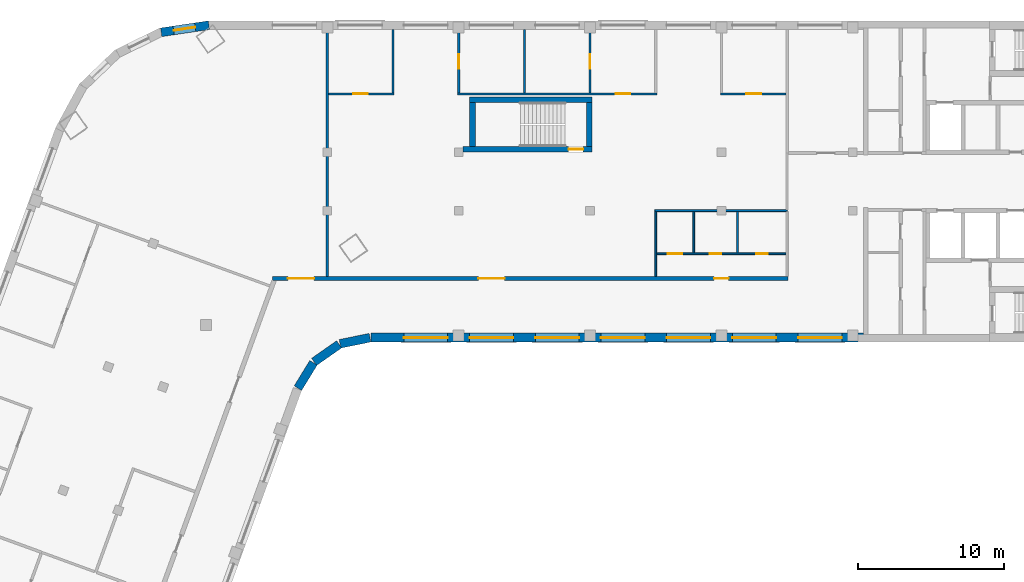
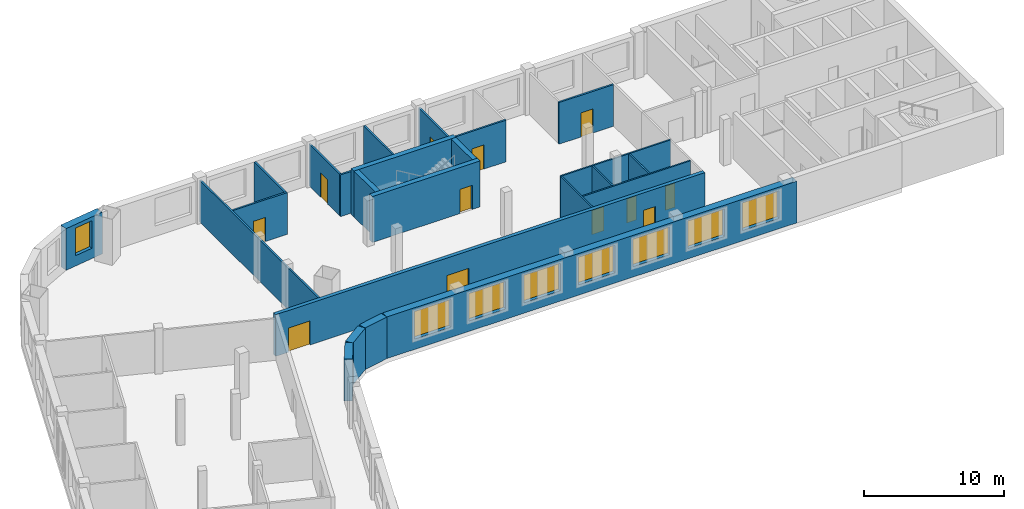
# One storey, part 4 of 8: 23 walls, 12 doors, 8 windows, 20 openings.
"""IFC4 building model written with IfcOpenShell, lengths in metres."""

from ifc_helpers import new_model, si_unit, direction, frame, frame_2d, origin, place, context, subcontext, project, spatial, rectangle, extrude, material, layer, layer_set, type_object, element, fill, save


model = new_model("IFC4")

# Units and contexts
model_context = context("Model", 3, precision=1e-05, world=origin(), true_north=direction((0.0, 1.0)))
body_context = subcontext(model_context, "Body", "Model", "MODEL_VIEW")
ifc_project = project(units=[si_unit("LENGTHUNIT", "METRE"), si_unit("AREAUNIT", "SQUARE_METRE"), si_unit("VOLUMEUNIT", "CUBIC_METRE"), si_unit("PLANEANGLEUNIT", "RADIAN"), si_unit("MASSUNIT", "GRAM", prefix="KILO")], contexts=[model_context])

# Site, building, storey
site_placement = place(None, origin())
site = spatial("IfcSite", under=ifc_project, at=site_placement, CompositionType="ELEMENT")
building_placement = place(site_placement, origin())
building = spatial("IfcBuilding", under=site, at=building_placement, Name="Skarvind Civic Tower", CompositionType="ELEMENT")
storey_placement = place(building_placement, frame((0.0, 0.0, 200.0)))
storey = spatial("IfcBuildingStorey", under=building, at=storey_placement, Name="L47", CompositionType="ELEMENT", Elevation=200.0)

# Wall, openings, doors
ifc_material_1 = material(Name="Fire-rated gypsum board on steel studs", Category="steel")
ifc_layer_1 = layer(ifc_material_1, 0.300048828125)
ifc_layer_set_1 = layer_set([ifc_layer_1], Name="CORRIDOR WALL 300")
wall_type_1 = type_object("IfcWallType", Name="CORRIDOR WALL 300", PredefinedType="PARTITIONING", material=ifc_layer_set_1)
wall_1_placement = place(storey_placement, frame((50.506103515625, 121.35009765625, 0.0), z_axis=(0.0, 0.0, 1.0), x_axis=(1.0, 0.0, 0.0)))
wall_1 = element("IfcWall", 1, at=wall_1_placement, inside=storey, type_object=wall_type_1, Name="Partition 47.016", PredefinedType="PARTITIONING", context=body_context, shape_type="SweptSolid", body=[
    extrude(rectangle(XDim=35.305908203125, YDim=0.300048828125, at=frame_2d((17.65283203125, 0.0))), origin(), (0.0, 0.0, 1.0), 3.625),
])
opening_1_placement = place(wall_1_placement, frame((30.243896484375, 0.0, 0.0)))
opening_1 = element("IfcOpeningElement", 2, at=opening_1_placement, cuts=wall_1, Name="Opening L47-D002", PredefinedType="OPENING", context=body_context, shape_type="SweptSolid", body=[
    extrude(rectangle(XDim=1.0, YDim=2.10009765625, at=frame_2d((0.5, 1.050048828125))), frame((0.0, 0.159912109375, 0.0), z_axis=(0.0, -1.0, 0.0), x_axis=(1.0, 0.0, 0.0)), (0.0, 0.0, 1.0), 0.320068359375),
])
opening_2_placement = place(wall_1_placement, frame((14.093994140625, 0.0, 0.0)))
opening_2 = element("IfcOpeningElement", 3, at=opening_2_placement, cuts=wall_1, Name="Opening L47-D010", PredefinedType="OPENING", context=body_context, shape_type="SweptSolid", body=[
    extrude(rectangle(XDim=1.800048828125, YDim=2.10009765625, at=frame_2d((0.89990234375, 1.050048828125))), frame((0.0, 0.159912109375, 0.0), z_axis=(0.0, -1.0, 0.0), x_axis=(1.0, 0.0, 0.0)), (0.0, 0.0, 1.0), 0.320068359375),
])
opening_3_placement = place(wall_1_placement, frame((1.047119140625, 0.0, 0.0)))
opening_3 = element("IfcOpeningElement", 4, at=opening_3_placement, cuts=wall_1, Name="Opening L47-D018", PredefinedType="OPENING", context=body_context, shape_type="SweptSolid", body=[
    extrude(rectangle(XDim=1.800048828125, YDim=2.10009765625, at=frame_2d((0.89990234375, 1.050048828125))), frame((0.0, 0.159912109375, 0.0), z_axis=(0.0, -1.0, 0.0), x_axis=(1.0, 0.0, 0.0)), (0.0, 0.0, 1.0), 0.320068359375),
])
ifc_material_2 = material(Name="Fire-rated timber door leaf", Category="wood")
door_type_1 = type_object("IfcDoorType", Name="FD1 1000x2100", OperationType="NOTDEFINED", PredefinedType="DOOR", material=ifc_material_2)
door_1_placement = place(opening_1_placement, origin())
door_1 = element("IfcDoor", 5, at=door_1_placement, inside=storey, type_object=door_type_1, Name="Door L47-D002", OperationType="SINGLE_SWING_LEFT", OverallHeight=2.10009765625, OverallWidth=1.0, PredefinedType="DOOR", context=body_context, shape_type="SweptSolid", body=[
    extrude(rectangle(XDim=1.0, YDim=2.10009765625, at=frame_2d((0.5, 1.050048828125))), frame((0.0, 0.02490234375, 0.0), z_axis=(0.0, -1.0, 0.0), x_axis=(1.0, 0.0, 0.0)), (0.0, 0.0, 1.0), 0.050048828125),
])
fill(opening_1, door_1)
door_type_2 = type_object("IfcDoorType", Name="FD4 1800x2100", OperationType="NOTDEFINED", PredefinedType="DOOR", material=ifc_material_2)
door_2_placement = place(opening_2_placement, origin())
door_2 = element("IfcDoor", 6, at=door_2_placement, inside=storey, type_object=door_type_2, Name="Door L47-D010", OperationType="DOUBLE_DOOR_SINGLE_SWING", OverallHeight=2.10009765625, OverallWidth=1.800048828125, PredefinedType="DOOR", context=body_context, shape_type="SweptSolid", body=[
    extrude(rectangle(XDim=1.800048828125, YDim=2.10009765625, at=frame_2d((0.89990234375, 1.050048828125))), frame((0.0, 0.02490234375, 0.0), z_axis=(0.0, -1.0, 0.0), x_axis=(1.0, 0.0, 0.0)), (0.0, 0.0, 1.0), 0.050048828125),
])
fill(opening_2, door_2)
door_3_placement = place(opening_3_placement, origin())
door_3 = element("IfcDoor", 7, at=door_3_placement, inside=storey, type_object=door_type_2, Name="Door L47-D018", OperationType="DOUBLE_DOOR_SINGLE_SWING", OverallHeight=2.10009765625, OverallWidth=1.800048828125, PredefinedType="DOOR", context=body_context, shape_type="SweptSolid", body=[
    extrude(rectangle(XDim=1.800048828125, YDim=2.10009765625, at=frame_2d((0.89990234375, 1.050048828125))), frame((0.0, 0.02490234375, 0.0), z_axis=(0.0, -1.0, 0.0), x_axis=(1.0, 0.0, 0.0)), (0.0, 0.0, 1.0), 0.050048828125),
])
fill(opening_3, door_3)

# Wall, opening, door
ifc_material_3 = material(Name="Concrete C60", Category="concrete")
ifc_layer_2 = layer(ifc_material_3, 0.39990234375)
ifc_layer_set_2 = layer_set([ifc_layer_2], Name="Core wall 400 C60")
wall_type_2 = type_object("IfcWallType", Name="Core wall 400 C60", PredefinedType="SHEAR", material=ifc_layer_set_2)
wall_2_placement = place(storey_placement, frame((63.550048828125, 130.199951171875, 0.0), z_axis=(0.0, 0.0, 1.0), x_axis=(1.0, 0.0, 0.0)))
wall_2 = element("IfcWall", 8, at=wall_2_placement, inside=storey, type_object=wall_type_2, Name="Core wall CM inner L47", PredefinedType="SHEAR", context=body_context, shape_type="SweptSolid", body=[
    extrude(rectangle(XDim=8.849853515625, YDim=0.39990234375, at=frame_2d((4.4248046875, 0.0))), origin(), (0.0, 0.0, 1.0), 4.0),
])
opening_4_placement = place(wall_2_placement, frame((7.22509765625, 0.0, 0.0)))
opening_4 = element("IfcOpeningElement", 9, at=opening_4_placement, cuts=wall_2, Name="Opening D-L47-CM-01", PredefinedType="OPENING", context=body_context, shape_type="SweptSolid", body=[
    extrude(rectangle(XDim=1.0, YDim=2.10009765625, at=frame_2d((0.5, 1.050048828125))), frame((0.0, 0.2099609375, 0.0), z_axis=(0.0, -1.0, 0.0), x_axis=(1.0, 0.0, 0.0)), (0.0, 0.0, 1.0), 0.419921875),
])
ifc_material_4 = material(Name="Fire-rated steel door", Category="steel")
door_type_3 = type_object("IfcDoorType", Name="Fire door 1000", OperationType="NOTDEFINED", PredefinedType="DOOR", material=ifc_material_4)
door_4_placement = place(opening_4_placement, origin())
door_4 = element("IfcDoor", 10, at=door_4_placement, inside=storey, type_object=door_type_3, Name="Fire door", OperationType="SINGLE_SWING_LEFT", OverallHeight=2.10009765625, OverallWidth=1.0, PredefinedType="DOOR", context=body_context, shape_type="SweptSolid", body=[
    extrude(rectangle(XDim=1.0, YDim=2.10009765625, at=frame_2d((0.5, 1.050048828125))), frame((0.0, 0.02490234375, 0.0), z_axis=(0.0, -1.0, 0.0), x_axis=(1.0, 0.0, 0.0)), (0.0, 0.0, 1.0), 0.050048828125),
])
fill(opening_4, door_4)

# Walls
wall_3_placement = place(storey_placement, frame((64.0, 133.60009765625, 0.0), z_axis=(0.0, 0.0, 1.0), x_axis=(1.0, 0.0, 0.0)))
element("IfcWall", 11, at=wall_3_placement, inside=storey, type_object=wall_type_2, Name="Core wall CM outer L47", PredefinedType="SHEAR", context=body_context, shape_type="SweptSolid", body=[
    extrude(rectangle(XDim=8.39990234375, YDim=0.39990234375, at=frame_2d((4.199951171875, 0.0))), origin(), (0.0, 0.0, 1.0), 4.0),
])
for number, where, z_axis, x_axis, name in (
    (12, (64.199951171875, 130.39990234375, 0.0), (0.0, 0.0, 1.0), (0.0, 1.0, 0.0), "Core wall CM west L47"),
    (13, (72.199951171875, 130.39990234375, 0.0), (0.0, 0.0, 1.0), (0.0, 1.0, 0.0), "Core wall CM end L47"),
):
    element("IfcWall", number, at=place(storey_placement, frame(where, z_axis=z_axis, x_axis=x_axis)), inside=storey, type_object=wall_type_2, Name=name, PredefinedType="SHEAR", context=body_context, shape_type="SweptSolid", body=[
        extrude(rectangle(XDim=3.0, YDim=0.39990234375, at=frame_2d((1.5, 0.0))), origin(), (0.0, 0.0, 1.0), 4.0),
    ])
ifc_material_5 = material(Name="Plasterboard partition on steel studs", Category="steel")
ifc_layer_3 = layer(ifc_material_5, 0.14990234375)
ifc_layer_set_3 = layer_set([ifc_layer_3], Name="PARTITION 150")
wall_type_3 = type_object("IfcWallType", Name="PARTITION 150", PredefinedType="PARTITIONING", material=ifc_layer_set_3)
wall_4_placement = place(storey_placement, frame((54.25, 121.5, 0.0), z_axis=(0.0, 0.0, 1.0), x_axis=(0.0, 1.0, 0.0)))
element("IfcWall", 14, at=wall_4_placement, inside=storey, type_object=wall_type_3, Name="Partition 47.017", PredefinedType="PARTITIONING", context=body_context, shape_type="SweptSolid", body=[
    extrude(rectangle(XDim=16.89990234375, YDim=0.14990234375, at=frame_2d((8.449951171875, 0.0))), origin(), (0.0, 0.0, 1.0), 3.625),
])

# Wall, opening, door
wall_5_placement = place(storey_placement, frame((58.824951171875, 134.0, 0.0), z_axis=(0.0, 0.0, 1.0), x_axis=(-1.0, 0.0, 0.0)))
wall_5 = element("IfcWall", 15, at=wall_5_placement, inside=storey, type_object=wall_type_3, Name="Partition 47.018", PredefinedType="PARTITIONING", context=body_context, shape_type="SweptSolid", body=[
    extrude(rectangle(XDim=4.5, YDim=0.14990234375, at=frame_2d((2.25, 0.0))), origin(), (0.0, 0.0, 1.0), 3.625),
])
opening_5_placement = place(wall_5_placement, frame((1.797607421875, 0.0, 0.0)))
opening_5 = element("IfcOpeningElement", 16, at=opening_5_placement, cuts=wall_5, Name="Opening L47-D009", PredefinedType="OPENING", context=body_context, shape_type="SweptSolid", body=[
    extrude(rectangle(XDim=1.0, YDim=2.10009765625, at=frame_2d((0.5, 1.050048828125))), frame((0.0, 0.0849609375, 0.0), z_axis=(0.0, -1.0, 0.0), x_axis=(1.0, 0.0, 0.0)), (0.0, 0.0, 1.0), 0.169921875),
])
ifc_material_6 = material(Name="Timber door leaf", Category="wood")
door_type_4 = type_object("IfcDoorType", Name="D1 1000x2100", OperationType="NOTDEFINED", PredefinedType="DOOR", material=ifc_material_6)
door_5_placement = place(opening_5_placement, origin())
door_5 = element("IfcDoor", 17, at=door_5_placement, inside=storey, type_object=door_type_4, Name="Door L47-D009", OperationType="SINGLE_SWING_LEFT", OverallHeight=2.10009765625, OverallWidth=1.0, PredefinedType="DOOR", context=body_context, shape_type="SweptSolid", body=[
    extrude(rectangle(XDim=1.0, YDim=2.10009765625, at=frame_2d((0.5, 1.050048828125))), frame((0.0, 0.02490234375, 0.0), z_axis=(0.0, -1.0, 0.0), x_axis=(1.0, 0.0, 0.0)), (0.0, 0.0, 1.0), 0.050048828125),
])
fill(opening_5, door_5)

# Wall
wall_6_placement = place(storey_placement, frame((58.75, 138.39990234375, 0.0), z_axis=(0.0, 0.0, 1.0), x_axis=(0.0, -1.0, 0.0)))
element("IfcWall", 18, at=wall_6_placement, inside=storey, type_object=wall_type_3, Name="Partition 47.019", PredefinedType="PARTITIONING", context=body_context, shape_type="SweptSolid", body=[
    extrude(rectangle(XDim=4.324951171875, YDim=0.14990234375, at=frame_2d((2.16259765625, 0.0))), origin(), (0.0, 0.0, 1.0), 3.625),
])

# Wall, opening, door
wall_7_placement = place(storey_placement, frame((63.25, 134.074951171875, 0.0), z_axis=(0.0, 0.0, 1.0), x_axis=(0.0, 1.0, 0.0)))
wall_7 = element("IfcWall", 19, at=wall_7_placement, inside=storey, type_object=wall_type_3, Name="Partition 47.020", PredefinedType="PARTITIONING", context=body_context, shape_type="SweptSolid", body=[
    extrude(rectangle(XDim=4.324951171875, YDim=0.14990234375, at=frame_2d((2.16259765625, 0.0))), origin(), (0.0, 0.0, 1.0), 3.625),
])
opening_6_placement = place(wall_7_placement, frame((1.652587890625, 0.0, 0.0)))
opening_6 = element("IfcOpeningElement", 20, at=opening_6_placement, cuts=wall_7, Name="Opening L47-D008", PredefinedType="OPENING", context=body_context, shape_type="SweptSolid", body=[
    extrude(rectangle(XDim=1.0, YDim=2.10009765625, at=frame_2d((0.5, 1.050048828125))), frame((0.0, 0.0849609375, 0.0), z_axis=(0.0, -1.0, 0.0), x_axis=(1.0, 0.0, 0.0)), (0.0, 0.0, 1.0), 0.169921875),
])
door_6_placement = place(opening_6_placement, origin())
door_6 = element("IfcDoor", 21, at=door_6_placement, inside=storey, type_object=door_type_4, Name="Door L47-D008", OperationType="SINGLE_SWING_LEFT", OverallHeight=2.10009765625, OverallWidth=1.0, PredefinedType="DOOR", context=body_context, shape_type="SweptSolid", body=[
    extrude(rectangle(XDim=1.0, YDim=2.10009765625, at=frame_2d((0.5, 1.050048828125))), frame((0.0, 0.02490234375, 0.0), z_axis=(0.0, -1.0, 0.0), x_axis=(1.0, 0.0, 0.0)), (0.0, 0.0, 1.0), 0.050048828125),
])
fill(opening_6, door_6)

wall_8_placement = place(storey_placement, frame((76.824951171875, 134.0, 0.0), z_axis=(0.0, 0.0, 1.0), x_axis=(-1.0, 0.0, 0.0)))
wall_8 = element("IfcWall", 22, at=wall_8_placement, inside=storey, type_object=wall_type_3, Name="Partition 47.021", PredefinedType="PARTITIONING", context=body_context, shape_type="SweptSolid", body=[
    extrude(rectangle(XDim=13.64990234375, YDim=0.14990234375, at=frame_2d((6.824951171875, 0.0))), origin(), (0.0, 0.0, 1.0), 3.625),
])
opening_7_placement = place(wall_8_placement, frame((1.824951171875, 0.0, 0.0)))
opening_7 = element("IfcOpeningElement", 23, at=opening_7_placement, cuts=wall_8, Name="Opening L47-D007", PredefinedType="OPENING", context=body_context, shape_type="SweptSolid", body=[
    extrude(rectangle(XDim=1.0, YDim=2.10009765625, at=frame_2d((0.5, 1.050048828125))), frame((0.0, 0.0849609375, 0.0), z_axis=(0.0, -1.0, 0.0), x_axis=(1.0, 0.0, 0.0)), (0.0, 0.0, 1.0), 0.169921875),
])
door_7_placement = place(opening_7_placement, origin())
door_7 = element("IfcDoor", 24, at=door_7_placement, inside=storey, type_object=door_type_4, Name="Door L47-D007", OperationType="SINGLE_SWING_LEFT", OverallHeight=2.10009765625, OverallWidth=1.0, PredefinedType="DOOR", context=body_context, shape_type="SweptSolid", body=[
    extrude(rectangle(XDim=1.0, YDim=2.10009765625, at=frame_2d((0.5, 1.050048828125))), frame((0.0, 0.02490234375, 0.0), z_axis=(0.0, -1.0, 0.0), x_axis=(1.0, 0.0, 0.0)), (0.0, 0.0, 1.0), 0.050048828125),
])
fill(opening_7, door_7)

# Wall
wall_9_placement = place(storey_placement, frame((67.75, 134.074951171875, 0.0), z_axis=(0.0, 0.0, 1.0), x_axis=(0.0, 1.0, 0.0)))
element("IfcWall", 25, at=wall_9_placement, inside=storey, type_object=wall_type_3, Name="Partition 47.022", PredefinedType="PARTITIONING", context=body_context, shape_type="SweptSolid", body=[
    extrude(rectangle(XDim=4.324951171875, YDim=0.14990234375, at=frame_2d((2.16259765625, 0.0))), origin(), (0.0, 0.0, 1.0), 3.625),
])

# Wall, opening, door
wall_10_placement = place(storey_placement, frame((72.25, 134.074951171875, 0.0), z_axis=(0.0, 0.0, 1.0), x_axis=(0.0, 1.0, 0.0)))
wall_10 = element("IfcWall", 26, at=wall_10_placement, inside=storey, type_object=wall_type_3, Name="Partition 47.023", PredefinedType="PARTITIONING", context=body_context, shape_type="SweptSolid", body=[
    extrude(rectangle(XDim=4.324951171875, YDim=0.14990234375, at=frame_2d((2.16259765625, 0.0))), origin(), (0.0, 0.0, 1.0), 3.625),
])
opening_8_placement = place(wall_10_placement, frame((1.652587890625, 0.0, 0.0)))
opening_8 = element("IfcOpeningElement", 27, at=opening_8_placement, cuts=wall_10, Name="Opening L47-D019", PredefinedType="OPENING", context=body_context, shape_type="SweptSolid", body=[
    extrude(rectangle(XDim=1.0, YDim=2.10009765625, at=frame_2d((0.5, 1.050048828125))), frame((0.0, 0.0849609375, 0.0), z_axis=(0.0, -1.0, 0.0), x_axis=(1.0, 0.0, 0.0)), (0.0, 0.0, 1.0), 0.169921875),
])
door_8_placement = place(opening_8_placement, origin())
door_8 = element("IfcDoor", 28, at=door_8_placement, inside=storey, type_object=door_type_4, Name="Door L47-D019", OperationType="SINGLE_SWING_LEFT", OverallHeight=2.10009765625, OverallWidth=1.0, PredefinedType="DOOR", context=body_context, shape_type="SweptSolid", body=[
    extrude(rectangle(XDim=1.0, YDim=2.10009765625, at=frame_2d((0.5, 1.050048828125))), frame((0.0, 0.02490234375, 0.0), z_axis=(0.0, -1.0, 0.0), x_axis=(1.0, 0.0, 0.0)), (0.0, 0.0, 1.0), 0.050048828125),
])
fill(opening_8, door_8)

wall_11_placement = place(storey_placement, frame((85.662109375, 134.0, 0.0), z_axis=(0.0, 0.0, 1.0), x_axis=(-1.0, 0.0, 0.0)))
wall_11 = element("IfcWall", 29, at=wall_11_placement, inside=storey, type_object=wall_type_3, Name="Partition 47.034", PredefinedType="PARTITIONING", context=body_context, shape_type="SweptSolid", body=[
    extrude(rectangle(XDim=4.487060546875, YDim=0.14990234375, at=frame_2d((2.24365234375, 0.0))), origin(), (0.0, 0.0, 1.0), 3.625),
])
opening_9_placement = place(wall_11_placement, frame((1.696044921875, 0.0, 0.0)))
opening_9 = element("IfcOpeningElement", 30, at=opening_9_placement, cuts=wall_11, Name="Opening L47-D006", PredefinedType="OPENING", context=body_context, shape_type="SweptSolid", body=[
    extrude(rectangle(XDim=1.0, YDim=2.10009765625, at=frame_2d((0.5, 1.050048828125))), frame((0.0, 0.0849609375, 0.0), z_axis=(0.0, -1.0, 0.0), x_axis=(1.0, 0.0, 0.0)), (0.0, 0.0, 1.0), 0.169921875),
])
door_9_placement = place(opening_9_placement, origin())
door_9 = element("IfcDoor", 31, at=door_9_placement, inside=storey, type_object=door_type_4, Name="Door L47-D006", OperationType="SINGLE_SWING_LEFT", OverallHeight=2.10009765625, OverallWidth=1.0, PredefinedType="DOOR", context=body_context, shape_type="SweptSolid", body=[
    extrude(rectangle(XDim=1.0, YDim=2.10009765625, at=frame_2d((0.5, 1.050048828125))), frame((0.0, 0.02490234375, 0.0), z_axis=(0.0, -1.0, 0.0), x_axis=(1.0, 0.0, 0.0)), (0.0, 0.0, 1.0), 0.050048828125),
])
fill(opening_9, door_9)

# Wall
ifc_material_7 = material(Name="Moisture-resistant gypsum board on steel studs", Category="steel")
ifc_layer_4 = layer(ifc_material_7, 0.125)
ifc_layer_set_4 = layer_set([ifc_layer_4], Name="WC PARTITION 125")
wall_type_4 = type_object("IfcWallType", Name="WC PARTITION 125", PredefinedType="PARTITIONING", material=ifc_layer_set_4)
wall_12_placement = place(storey_placement, frame((76.75, 121.5, 0.0), z_axis=(0.0, 0.0, 1.0), x_axis=(0.0, 1.0, 0.0)))
element("IfcWall", 32, at=wall_12_placement, inside=storey, type_object=wall_type_4, Name="Partition 47.024", PredefinedType="PARTITIONING", context=body_context, shape_type="SweptSolid", body=[
    extrude(rectangle(XDim=4.43798828125, YDim=0.125, at=frame_2d((2.218994140625, 0.0))), origin(), (0.0, 0.0, 1.0), 3.625),
])

# Wall, openings, doors
wall_13_placement = place(storey_placement, frame((76.81201171875, 123.050048828125, 0.0), z_axis=(0.0, 0.0, 1.0), x_axis=(1.0, 0.0, 0.0)))
wall_13 = element("IfcWall", 33, at=wall_13_placement, inside=storey, type_object=wall_type_4, Name="Partition 47.025", PredefinedType="PARTITIONING", context=body_context, shape_type="SweptSolid", body=[
    extrude(rectangle(XDim=8.8759765625, YDim=0.125, at=frame_2d((4.43798828125, 0.0))), origin(), (0.0, 0.0, 1.0), 3.625),
])
opening_10_placement = place(wall_13_placement, frame((6.81689453125, 0.0, 0.0)))
opening_10 = element("IfcOpeningElement", 34, at=opening_10_placement, cuts=wall_13, Name="Opening L47-D003", PredefinedType="OPENING", context=body_context, shape_type="SweptSolid", body=[
    extrude(rectangle(XDim=0.800048828125, YDim=2.10009765625, at=frame_2d((0.39990234375, 1.050048828125))), frame((0.0, 0.072509765625, 0.0), z_axis=(0.0, -1.0, 0.0), x_axis=(1.0, 0.0, 0.0)), (0.0, 0.0, 1.0), 0.14501953125),
])
opening_11_placement = place(wall_13_placement, frame((3.637939453125, 0.0, 0.0)))
opening_11 = element("IfcOpeningElement", 35, at=opening_11_placement, cuts=wall_13, Name="Opening L47-D004", PredefinedType="OPENING", context=body_context, shape_type="SweptSolid", body=[
    extrude(rectangle(XDim=0.800048828125, YDim=2.10009765625, at=frame_2d((0.39990234375, 1.050048828125))), frame((0.0, 0.072509765625, 0.0), z_axis=(0.0, -1.0, 0.0), x_axis=(1.0, 0.0, 0.0)), (0.0, 0.0, 1.0), 0.14501953125),
])
opening_12_placement = place(wall_13_placement, frame((0.759033203125, 0.0, 0.0)))
opening_12 = element("IfcOpeningElement", 36, at=opening_12_placement, cuts=wall_13, Name="Opening L47-D005", PredefinedType="OPENING", context=body_context, shape_type="SweptSolid", body=[
    extrude(rectangle(XDim=1.0, YDim=2.10009765625, at=frame_2d((0.5, 1.050048828125))), frame((0.0, 0.072509765625, 0.0), z_axis=(0.0, -1.0, 0.0), x_axis=(1.0, 0.0, 0.0)), (0.0, 0.0, 1.0), 0.14501953125),
])
door_10_placement = place(opening_12_placement, origin())
door_10 = element("IfcDoor", 37, at=door_10_placement, inside=storey, type_object=door_type_4, Name="Door L47-D005", OperationType="SINGLE_SWING_LEFT", OverallHeight=2.10009765625, OverallWidth=1.0, PredefinedType="DOOR", context=body_context, shape_type="SweptSolid", body=[
    extrude(rectangle(XDim=1.0, YDim=2.10009765625, at=frame_2d((0.5, 1.050048828125))), frame((0.0, 0.02490234375, 0.0), z_axis=(0.0, -1.0, 0.0), x_axis=(1.0, 0.0, 0.0)), (0.0, 0.0, 1.0), 0.050048828125),
])
fill(opening_12, door_10)
door_type_5 = type_object("IfcDoorType", Name="DOOR 800X2100 TIMBER", OperationType="NOTDEFINED", PredefinedType="DOOR", material=ifc_material_6)
door_11_placement = place(opening_10_placement, origin())
door_11 = element("IfcDoor", 38, at=door_11_placement, inside=storey, type_object=door_type_5, Name="Door L47-D003", OperationType="SINGLE_SWING_RIGHT", OverallHeight=2.10009765625, OverallWidth=0.800048828125, PredefinedType="DOOR", context=body_context, shape_type="SweptSolid", body=[
    extrude(rectangle(XDim=0.800048828125, YDim=2.10009765625, at=frame_2d((0.39990234375, 1.050048828125))), frame((0.0, 0.02490234375, 0.0), z_axis=(0.0, -1.0, 0.0), x_axis=(1.0, 0.0, 0.0)), (0.0, 0.0, 1.0), 0.050048828125),
])
fill(opening_10, door_11)
door_12_placement = place(opening_11_placement, origin())
door_12 = element("IfcDoor", 39, at=door_12_placement, inside=storey, type_object=door_type_5, Name="Door L47-D004", OperationType="SINGLE_SWING_LEFT", OverallHeight=2.10009765625, OverallWidth=0.800048828125, PredefinedType="DOOR", context=body_context, shape_type="SweptSolid", body=[
    extrude(rectangle(XDim=0.800048828125, YDim=2.10009765625, at=frame_2d((0.39990234375, 1.050048828125))), frame((0.0, 0.02490234375, 0.0), z_axis=(0.0, -1.0, 0.0), x_axis=(1.0, 0.0, 0.0)), (0.0, 0.0, 1.0), 0.050048828125),
])
fill(opening_11, door_12)

# Walls
wall_14_placement = place(storey_placement, frame((76.68798828125, 126.0, 0.0), z_axis=(0.0, 0.0, 1.0), x_axis=(1.0, 0.0, 0.0)))
element("IfcWall", 40, at=wall_14_placement, inside=storey, type_object=wall_type_4, Name="Partition 47.026", PredefinedType="PARTITIONING", context=body_context, shape_type="SweptSolid", body=[
    extrude(rectangle(XDim=9.06201171875, YDim=0.125, at=frame_2d((4.531005859375, 0.0))), origin(), (0.0, 0.0, 1.0), 3.625),
])
for number, where, z_axis, x_axis, name in (
    (41, (79.35009765625, 125.93798828125, 0.0), (0.0, 0.0, 1.0), (0.0, -1.0, 0.0), "Partition 47.028"),
    (42, (82.35009765625, 125.93798828125, 0.0), (0.0, 0.0, 1.0), (0.0, -1.0, 0.0), "Partition 47.030"),
):
    element("IfcWall", number, at=place(storey_placement, frame(where, z_axis=z_axis, x_axis=x_axis)), inside=storey, type_object=wall_type_4, Name=name, PredefinedType="PARTITIONING", context=body_context, shape_type="SweptSolid", body=[
        extrude(rectangle(XDim=2.825927734375, YDim=0.125, at=frame_2d((1.4130859375, 0.0))), origin(), (0.0, 0.0, 1.0), 3.625),
    ])
ifc_material_8 = material(Name="Limestone masonry cladding on insulated backing", Category="masonry")
ifc_layer_5 = layer(ifc_material_8, 0.60009765625)
ifc_layer_set_5 = layer_set([ifc_layer_5], Name="WX1 STONE FACADE WALL 600")
wall_type_5 = type_object("IfcWallType", Name="WX1 STONE FACADE WALL 600", PredefinedType="SOLIDWALL", material=ifc_layer_set_5)
wall_15_placement = place(storey_placement, frame((53.30517578125, 115.578369140625, 0.0), z_axis=(0.0, 0.0, 1.0), x_axis=(-0.522402266438, -0.852699168535, 0.0)))
element("IfcWall", 43, at=wall_15_placement, inside=storey, type_object=wall_type_5, Name="STONE FACADE WALL", PredefinedType="SOLIDWALL", context=body_context, shape_type="SweptSolid", body=[
    extrude(rectangle(XDim=2.042236328125, YDim=0.60009765625, at=frame_2d((1.02099609375, 0.0))), origin(), (0.0, 0.0, 1.0), 3.625),
])
for number, where, z_axis, x_axis, name in (
    (44, (55.061767578125, 116.8388671875, 0.0), (0.0, 0.0, 1.0), (-0.819122269495, -0.573618956815, 0.0), "STONE FACADE WALL"),
    (45, (57.17529296875, 117.2939453125, 0.0), (0.0, 0.0, 1.0), (-0.97996099083, -0.19918949885, 0.0), "STONE FACADE WALL"),
):
    element("IfcWall", number, at=place(storey_placement, frame(where, z_axis=z_axis, x_axis=x_axis)), inside=storey, type_object=wall_type_5, Name=name, PredefinedType="SOLIDWALL", context=body_context, shape_type="SweptSolid", body=[
        extrude(rectangle(XDim=2.09228515625, YDim=0.60009765625, at=frame_2d((1.046142578125, 0.0))), origin(), (0.0, 0.0, 1.0), 3.625),
    ])

# Wall, openings, windows
wall_16_placement = place(storey_placement, frame((90.97998046875, 117.300048828125, 0.0), z_axis=(0.0, 0.0, 1.0), x_axis=(-1.0, 0.0, 0.0)))
wall_16 = element("IfcWall", 46, at=wall_16_placement, inside=storey, type_object=wall_type_5, Name="STONE FACADE WALL", PredefinedType="SOLIDWALL", context=body_context, shape_type="SweptSolid", body=[
    extrude(rectangle(XDim=33.744873046875, YDim=0.60009765625, at=frame_2d((16.87255859375, 0.0))), origin(), (0.0, 0.0, 1.0), 3.625),
])
opening_13_placement = place(wall_16_placement, frame((1.47998046875, 0.0, 0.89990234375)))
opening_13 = element("IfcOpeningElement", 47, at=opening_13_placement, cuts=wall_16, Name="Opening WN1", PredefinedType="OPENING", context=body_context, shape_type="SweptSolid", body=[
    extrude(rectangle(XDim=3.0, YDim=2.39990234375, at=frame_2d((1.5, 1.199951171875))), frame((0.0, 0.31005859375, 0.0), z_axis=(0.0, -1.0, 0.0), x_axis=(1.0, 0.0, 0.0)), (0.0, 0.0, 1.0), 0.6201171875),
])
opening_14_placement = place(wall_16_placement, frame((5.97998046875, 0.0, 0.89990234375)))
opening_14 = element("IfcOpeningElement", 48, at=opening_14_placement, cuts=wall_16, Name="Opening WN1", PredefinedType="OPENING", context=body_context, shape_type="SweptSolid", body=[
    extrude(rectangle(XDim=3.0, YDim=2.39990234375, at=frame_2d((1.5, 1.199951171875))), frame((0.0, 0.31005859375, 0.0), z_axis=(0.0, -1.0, 0.0), x_axis=(1.0, 0.0, 0.0)), (0.0, 0.0, 1.0), 0.6201171875),
])
opening_15_placement = place(wall_16_placement, frame((10.47998046875, 0.0, 0.89990234375)))
opening_15 = element("IfcOpeningElement", 49, at=opening_15_placement, cuts=wall_16, Name="Opening WN1", PredefinedType="OPENING", context=body_context, shape_type="SweptSolid", body=[
    extrude(rectangle(XDim=3.0, YDim=2.39990234375, at=frame_2d((1.5, 1.199951171875))), frame((0.0, 0.31005859375, 0.0), z_axis=(0.0, -1.0, 0.0), x_axis=(1.0, 0.0, 0.0)), (0.0, 0.0, 1.0), 0.6201171875),
])
opening_16_placement = place(wall_16_placement, frame((14.97998046875, 0.0, 0.89990234375)))
opening_16 = element("IfcOpeningElement", 50, at=opening_16_placement, cuts=wall_16, Name="Opening WN1", PredefinedType="OPENING", context=body_context, shape_type="SweptSolid", body=[
    extrude(rectangle(XDim=3.0, YDim=2.39990234375, at=frame_2d((1.5, 1.199951171875))), frame((0.0, 0.31005859375, 0.0), z_axis=(0.0, -1.0, 0.0), x_axis=(1.0, 0.0, 0.0)), (0.0, 0.0, 1.0), 0.6201171875),
])
opening_17_placement = place(wall_16_placement, frame((19.47998046875, 0.0, 0.89990234375)))
opening_17 = element("IfcOpeningElement", 51, at=opening_17_placement, cuts=wall_16, Name="Opening WN1", PredefinedType="OPENING", context=body_context, shape_type="SweptSolid", body=[
    extrude(rectangle(XDim=3.0, YDim=2.39990234375, at=frame_2d((1.5, 1.199951171875))), frame((0.0, 0.31005859375, 0.0), z_axis=(0.0, -1.0, 0.0), x_axis=(1.0, 0.0, 0.0)), (0.0, 0.0, 1.0), 0.6201171875),
])
opening_18_placement = place(wall_16_placement, frame((23.97998046875, 0.0, 0.89990234375)))
opening_18 = element("IfcOpeningElement", 52, at=opening_18_placement, cuts=wall_16, Name="Opening WN1", PredefinedType="OPENING", context=body_context, shape_type="SweptSolid", body=[
    extrude(rectangle(XDim=3.0, YDim=2.39990234375, at=frame_2d((1.5, 1.199951171875))), frame((0.0, 0.31005859375, 0.0), z_axis=(0.0, -1.0, 0.0), x_axis=(1.0, 0.0, 0.0)), (0.0, 0.0, 1.0), 0.6201171875),
])
opening_19_placement = place(wall_16_placement, frame((28.47998046875, 0.0, 0.89990234375)))
opening_19 = element("IfcOpeningElement", 53, at=opening_19_placement, cuts=wall_16, Name="Opening WN1", PredefinedType="OPENING", context=body_context, shape_type="SweptSolid", body=[
    extrude(rectangle(XDim=3.0, YDim=2.39990234375, at=frame_2d((1.5, 1.199951171875))), frame((0.0, 0.31005859375, 0.0), z_axis=(0.0, -1.0, 0.0), x_axis=(1.0, 0.0, 0.0)), (0.0, 0.0, 1.0), 0.6201171875),
])
ifc_material_9 = material(Name="Timber frame, double glazing, timber-lined reveal", Category="wood")
window_type_1 = type_object("IfcWindowType", Name="WN1 PUNCHED STONE WINDOW 3000 x 2400", PartitioningType="SINGLE_PANEL", PredefinedType="WINDOW", material=ifc_material_9)
window_1_placement = place(opening_13_placement, origin())
window_1 = element("IfcWindow", 54, at=window_1_placement, inside=storey, type_object=window_type_1, Name="WN1 WINDOW", OverallHeight=2.39990234375, OverallWidth=3.0, PartitioningType="SINGLE_PANEL", PredefinedType="WINDOW", context=body_context, shape_type="SweptSolid", body=[
    extrude(rectangle(XDim=3.0, YDim=2.39990234375, at=frame_2d((1.5, 1.199951171875))), frame((0.0, 0.030029296875, 0.0), z_axis=(0.0, -1.0, 0.0), x_axis=(1.0, 0.0, 0.0)), (0.0, 0.0, 1.0), 0.06005859375),
])
fill(opening_13, window_1)
window_2_placement = place(opening_14_placement, origin())
window_2 = element("IfcWindow", 55, at=window_2_placement, inside=storey, type_object=window_type_1, Name="WN1 WINDOW", OverallHeight=2.39990234375, OverallWidth=3.0, PartitioningType="SINGLE_PANEL", PredefinedType="WINDOW", context=body_context, shape_type="SweptSolid", body=[
    extrude(rectangle(XDim=3.0, YDim=2.39990234375, at=frame_2d((1.5, 1.199951171875))), frame((0.0, 0.030029296875, 0.0), z_axis=(0.0, -1.0, 0.0), x_axis=(1.0, 0.0, 0.0)), (0.0, 0.0, 1.0), 0.06005859375),
])
fill(opening_14, window_2)
window_3_placement = place(opening_15_placement, origin())
window_3 = element("IfcWindow", 56, at=window_3_placement, inside=storey, type_object=window_type_1, Name="WN1 WINDOW", OverallHeight=2.39990234375, OverallWidth=3.0, PartitioningType="SINGLE_PANEL", PredefinedType="WINDOW", context=body_context, shape_type="SweptSolid", body=[
    extrude(rectangle(XDim=3.0, YDim=2.39990234375, at=frame_2d((1.5, 1.199951171875))), frame((0.0, 0.030029296875, 0.0), z_axis=(0.0, -1.0, 0.0), x_axis=(1.0, 0.0, 0.0)), (0.0, 0.0, 1.0), 0.06005859375),
])
fill(opening_15, window_3)
window_4_placement = place(opening_16_placement, origin())
window_4 = element("IfcWindow", 57, at=window_4_placement, inside=storey, type_object=window_type_1, Name="WN1 WINDOW", OverallHeight=2.39990234375, OverallWidth=3.0, PartitioningType="SINGLE_PANEL", PredefinedType="WINDOW", context=body_context, shape_type="SweptSolid", body=[
    extrude(rectangle(XDim=3.0, YDim=2.39990234375, at=frame_2d((1.5, 1.199951171875))), frame((0.0, 0.030029296875, 0.0), z_axis=(0.0, -1.0, 0.0), x_axis=(1.0, 0.0, 0.0)), (0.0, 0.0, 1.0), 0.06005859375),
])
fill(opening_16, window_4)
window_5_placement = place(opening_17_placement, origin())
window_5 = element("IfcWindow", 58, at=window_5_placement, inside=storey, type_object=window_type_1, Name="WN1 WINDOW", OverallHeight=2.39990234375, OverallWidth=3.0, PartitioningType="SINGLE_PANEL", PredefinedType="WINDOW", context=body_context, shape_type="SweptSolid", body=[
    extrude(rectangle(XDim=3.0, YDim=2.39990234375, at=frame_2d((1.5, 1.199951171875))), frame((0.0, 0.030029296875, 0.0), z_axis=(0.0, -1.0, 0.0), x_axis=(1.0, 0.0, 0.0)), (0.0, 0.0, 1.0), 0.06005859375),
])
fill(opening_17, window_5)
window_6_placement = place(opening_18_placement, origin())
window_6 = element("IfcWindow", 59, at=window_6_placement, inside=storey, type_object=window_type_1, Name="WN1 WINDOW", OverallHeight=2.39990234375, OverallWidth=3.0, PartitioningType="SINGLE_PANEL", PredefinedType="WINDOW", context=body_context, shape_type="SweptSolid", body=[
    extrude(rectangle(XDim=3.0, YDim=2.39990234375, at=frame_2d((1.5, 1.199951171875))), frame((0.0, 0.030029296875, 0.0), z_axis=(0.0, -1.0, 0.0), x_axis=(1.0, 0.0, 0.0)), (0.0, 0.0, 1.0), 0.06005859375),
])
fill(opening_18, window_6)
window_7_placement = place(opening_19_placement, origin())
window_7 = element("IfcWindow", 60, at=window_7_placement, inside=storey, type_object=window_type_1, Name="WN1 WINDOW", OverallHeight=2.39990234375, OverallWidth=3.0, PartitioningType="SINGLE_PANEL", PredefinedType="WINDOW", context=body_context, shape_type="SweptSolid", body=[
    extrude(rectangle(XDim=3.0, YDim=2.39990234375, at=frame_2d((1.5, 1.199951171875))), frame((0.0, 0.030029296875, 0.0), z_axis=(0.0, -1.0, 0.0), x_axis=(1.0, 0.0, 0.0)), (0.0, 0.0, 1.0), 0.06005859375),
])
fill(opening_19, window_7)

# Wall, opening, window
wall_17_placement = place(storey_placement, frame((42.872802734375, 138.21728515625, 0.0), z_axis=(0.0, 0.0, 1.0), x_axis=(0.989110792192, 0.14717282619, 0.0)))
wall_17 = element("IfcWall", 61, at=wall_17_placement, inside=storey, type_object=wall_type_5, Name="STONE FACADE WALL", PredefinedType="SOLIDWALL", context=body_context, shape_type="SweptSolid", body=[
    extrude(rectangle(XDim=3.302734375, YDim=0.60009765625, at=frame_2d((1.6513671875, 0.0))), origin(), (0.0, 0.0, 1.0), 3.625),
])
opening_20_placement = place(wall_17_placement, frame((0.8564453125, 0.0, 0.89990234375)))
opening_20 = element("IfcOpeningElement", 62, at=opening_20_placement, cuts=wall_17, Name="Opening WN8", PredefinedType="OPENING", context=body_context, shape_type="SweptSolid", body=[
    extrude(rectangle(XDim=1.5, YDim=2.39990234375, at=frame_2d((0.75, 1.199951171875))), frame((0.0, 0.31005859375, 0.0), z_axis=(0.0, -1.0, 0.0), x_axis=(1.0, 0.0, 0.0)), (0.0, 0.0, 1.0), 0.6201171875),
])
window_type_2 = type_object("IfcWindowType", Name="WN8 ARC BAY WINDOW 1500 x 2400", PartitioningType="SINGLE_PANEL", PredefinedType="WINDOW", material=ifc_material_9)
window_8_placement = place(opening_20_placement, origin())
window_8 = element("IfcWindow", 63, at=window_8_placement, inside=storey, type_object=window_type_2, Name="WN8 WINDOW", OverallHeight=2.39990234375, OverallWidth=1.5, PartitioningType="SINGLE_PANEL", PredefinedType="WINDOW", context=body_context, shape_type="SweptSolid", body=[
    extrude(rectangle(XDim=1.5, YDim=2.39990234375, at=frame_2d((0.75, 1.199951171875))), frame((0.0, 0.030029296875, 0.0), z_axis=(0.0, -1.0, 0.0), x_axis=(1.0, 0.0, 0.0)), (0.0, 0.0, 1.0), 0.06005859375),
])
fill(opening_20, window_8)

save(model, "model.ifc")
